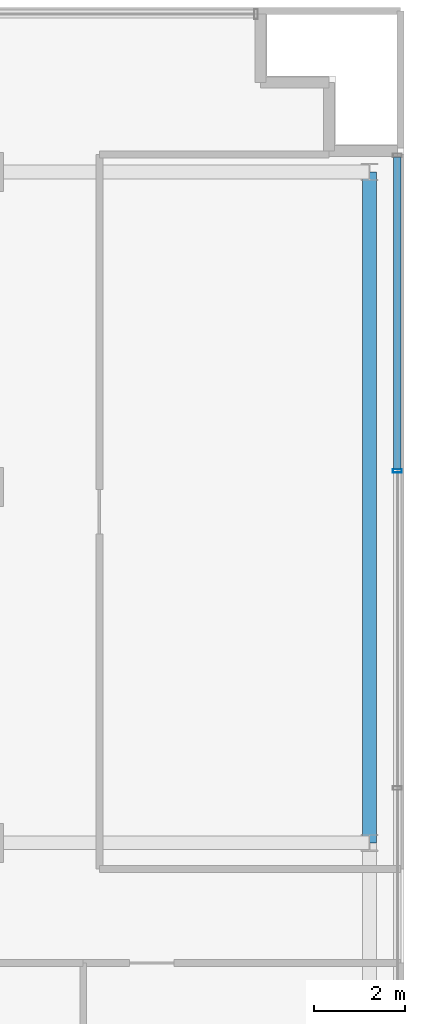
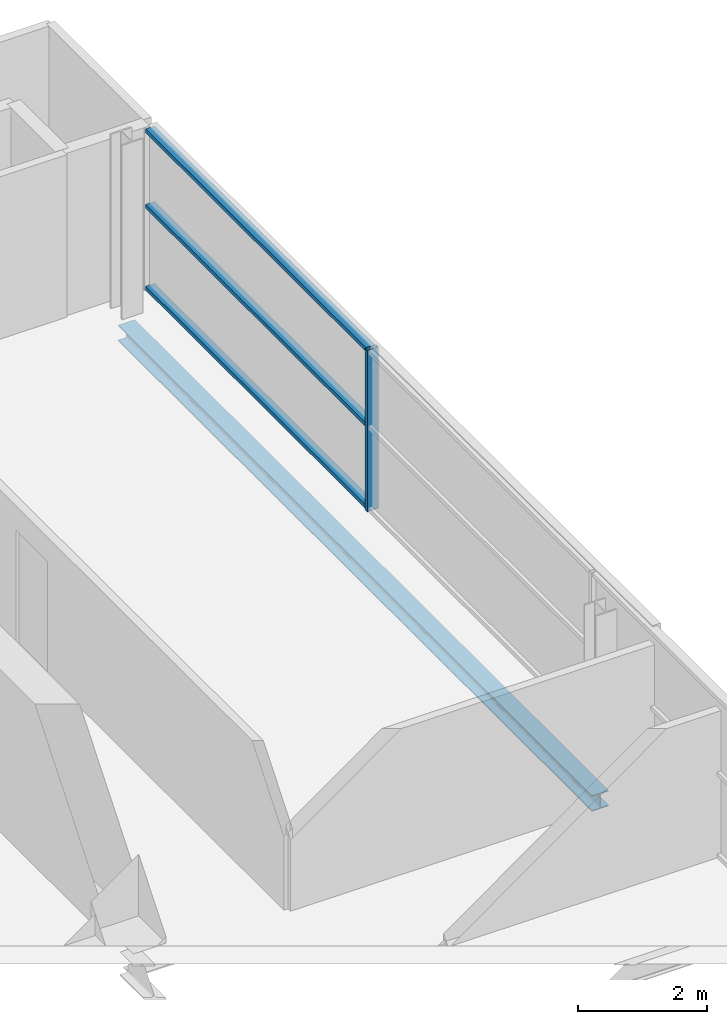
# One storey, part 10 of 21: 4 members, 1 beam, 1 element without a shape of its own.
"""IFC4 building model written with IfcOpenShell, lengths in metres."""

from ifc_helpers import new_model, si_unit, direction, frame, origin, origin_2d, place, context, subcontext, project, spatial, hollow_rectangle, i_section, extrude, source, transform, mapped, material, layer, layer_set, material_profile, profile_set, type_object, element, aggregate, save


model = new_model("IFC4")

# Units and contexts
model_context = context("Model", 3, precision=1e-05, world=origin(), true_north=direction((0.0, 1.0)))
body_context = subcontext(model_context, "Body", "Model", "MODEL_VIEW")
ifc_project = project(units=[si_unit("LENGTHUNIT", "METRE"), si_unit("AREAUNIT", "SQUARE_METRE"), si_unit("VOLUMEUNIT", "CUBIC_METRE"), si_unit("PLANEANGLEUNIT", "RADIAN"), si_unit("MASSUNIT", "GRAM", prefix="KILO")], contexts=[model_context])

# Site, building, storey
site_placement = place(None, origin())
site = spatial("IfcSite", under=ifc_project, at=site_placement, CompositionType="ELEMENT")
building_placement = place(site_placement, origin())
building = spatial("IfcBuilding", under=site, at=building_placement, Name="Zarnakvel Exchange Tower", CompositionType="ELEMENT")
storey_placement = place(building_placement, frame((0.0, 0.0, 248.5)))
storey = spatial("IfcBuildingStorey", under=building, at=storey_placement, Name="L70", CompositionType="ELEMENT", Elevation=248.5)

# Beam
ifc_material_1 = material(Name="Steel S355", Category="steel")
ifc_material_profile_1 = material_profile(ifc_material_1, i_section(OverallWidth=0.300048828125, OverallDepth=0.300048828125, WebThickness=0.010986328125, FlangeThickness=0.01904296875, FilletRadius=0.027099609375, at=origin_2d()))
ifc_profile_set_1 = profile_set([ifc_material_profile_1], Name="Steel S355")
beam_type = type_object("IfcBeamType", Name="SP-03", PredefinedType="SPANDREL", material=ifc_profile_set_1)
beam_placement = place(storey_placement, frame((22.85009765625, -1.199951171875, -0.375), z_axis=(0.0, 1.0, 0.0), x_axis=(-1.0, 0.0, 0.0)))
element("IfcBeam", 1, at=beam_placement, inside=storey, type_object=beam_type, Name="L70 Tower N-S Frame Beam", PredefinedType="SPANDREL", context=body_context, shape_type="SweptSolid", body=[
    extrude(i_section(OverallWidth=0.300048828125, OverallDepth=0.300048828125, WebThickness=0.010986328125, FlangeThickness=0.01904296875, FilletRadius=0.027099609375, at=origin_2d()), origin(), (0.0, 0.0, 1.0), 14.699951171875),
])

# Curtain wall, members
ifc_material_2 = material(Name="Architectural Bronze Anodised Aluminium", Category="aluminium")
ifc_layer = layer(ifc_material_2, 0.199951171875)
ifc_layer_set = layer_set([ifc_layer], Name="Architectural Bronze Anodised Aluminium")
curtain_wall_type = type_object("IfcCurtainWallType", Name="CW-04", PredefinedType="NOTDEFINED", material=ifc_layer_set)
curtain_wall_placement = place(storey_placement, origin())
curtain_wall = element("IfcCurtainWall", 2, at=curtain_wall_placement, inside=storey, type_object=curtain_wall_type, Name="L70 Curtain Wall CW-L70-E1 (CW-04)", PredefinedType="NOTDEFINED")
ifc_material_profile_2 = material_profile(ifc_material_2, hollow_rectangle(XDim=0.199951171875, YDim=0.074951171875, WallThickness=0.0048828125, at=origin_2d()))
ifc_profile_set_2 = profile_set([ifc_material_profile_2], Name="Architectural Bronze Anodised Aluminium")
member_type_1 = type_object("IfcMemberType", Name="CWM-04", PredefinedType="MULLION", material=ifc_profile_set_2)
shared_shape_1 = source(origin(), body_context, "Body", "SweptSolid", [
    extrude(hollow_rectangle(XDim=0.199951171875, YDim=0.074951171875, WallThickness=0.0048828125, at=origin_2d()), origin(), (0.0, 0.0, 1.0), 3.054931640625),
])
member_1_placement = place(storey_placement, frame((23.4599609375, 6.949951171875, 0.0), z_axis=(0.0, 0.0, 1.0), x_axis=(-1.0, 0.0, 0.0)))
member_1 = element("IfcMember", 3, at=member_1_placement, type_object=member_type_1, Name="CW-04 mullion 4", PredefinedType="MULLION", context=body_context, shape_type="MappedRepresentation", body=[
    mapped(shared_shape_1, transform((0.0, 0.0, 0.0), x_axis=(1.0, 0.0, 0.0), y_axis=(0.0, 1.0, 0.0), z_axis=(0.0, 0.0, 1.0), scale=1.0)),
])
ifc_material_profile_3 = material_profile(ifc_material_2, hollow_rectangle(XDim=0.159912109375, YDim=0.074951171875, WallThickness=0.00390625, at=origin_2d()))
ifc_profile_set_3 = profile_set([ifc_material_profile_3], Name="Architectural Bronze Anodised Aluminium")
member_type_2 = type_object("IfcMemberType", Name="CWT-04", PredefinedType="USERDEFINED", material=ifc_profile_set_3)
shared_shape_2 = source(origin(), body_context, "Body", "SweptSolid", [
    extrude(hollow_rectangle(XDim=0.159912109375, YDim=0.074951171875, WallThickness=0.00390625, at=origin_2d()), origin(), (0.0, 0.0, 1.0), 6.83740234375),
])
member_2_placement = place(storey_placement, frame((23.4599609375, 6.987548828125, 0.03759765625), z_axis=(0.0, 1.0, 0.0), x_axis=(-1.0, 0.0, 0.0)))
member_2 = element("IfcMember", 4, at=member_2_placement, type_object=member_type_2, Name="CW-04 transom 4.1", ObjectType="TRANSOM", PredefinedType="USERDEFINED", context=body_context, shape_type="MappedRepresentation", body=[
    mapped(shared_shape_2, transform((0.0, 0.0, 0.0), x_axis=(1.0, 0.0, 0.0), y_axis=(0.0, 1.0, 0.0), z_axis=(0.0, 0.0, 1.0), scale=1.0)),
])
member_3_placement = place(storey_placement, frame((23.4599609375, 6.987548828125, 1.588623046875), z_axis=(0.0, 1.0, 0.0), x_axis=(-1.0, 0.0, 0.0)))
member_3 = element("IfcMember", 5, at=member_3_placement, type_object=member_type_2, Name="CW-04 transom 4.2", ObjectType="TRANSOM", PredefinedType="USERDEFINED", context=body_context, shape_type="MappedRepresentation", body=[
    mapped(shared_shape_2, transform((0.0, 0.0, 0.0), x_axis=(1.0, 0.0, 0.0), y_axis=(0.0, 1.0, 0.0), z_axis=(0.0, 0.0, 1.0), scale=1.0)),
])
member_4_placement = place(storey_placement, frame((23.4599609375, 6.987548828125, 3.017578125), z_axis=(0.0, 1.0, 0.0), x_axis=(-1.0, 0.0, 0.0)))
member_4 = element("IfcMember", 6, at=member_4_placement, type_object=member_type_2, Name="CW-04 transom 4.3", ObjectType="TRANSOM", PredefinedType="USERDEFINED", context=body_context, shape_type="MappedRepresentation", body=[
    mapped(shared_shape_2, transform((0.0, 0.0, 0.0), x_axis=(1.0, 0.0, 0.0), y_axis=(0.0, 1.0, 0.0), z_axis=(0.0, 0.0, 1.0), scale=1.0)),
])
aggregate(curtain_wall, [member_1, member_2, member_3, member_4])

save(model, "model.ifc")
